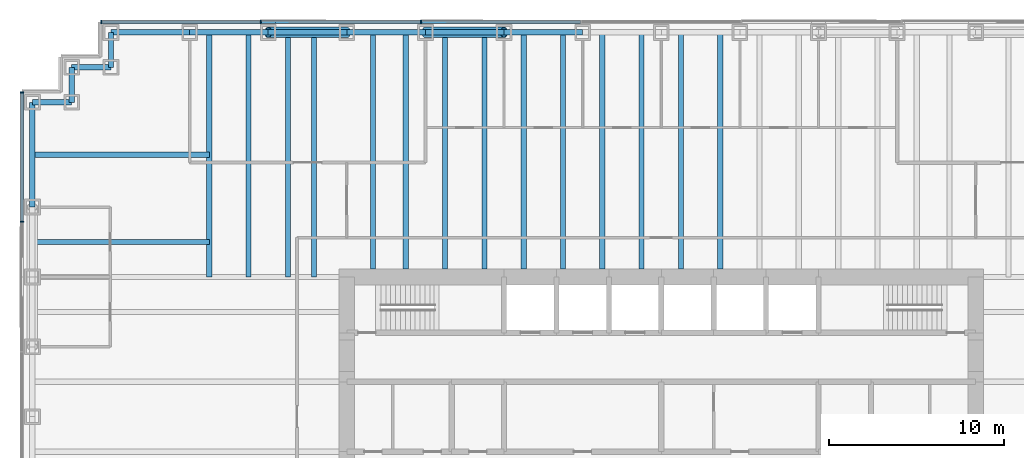
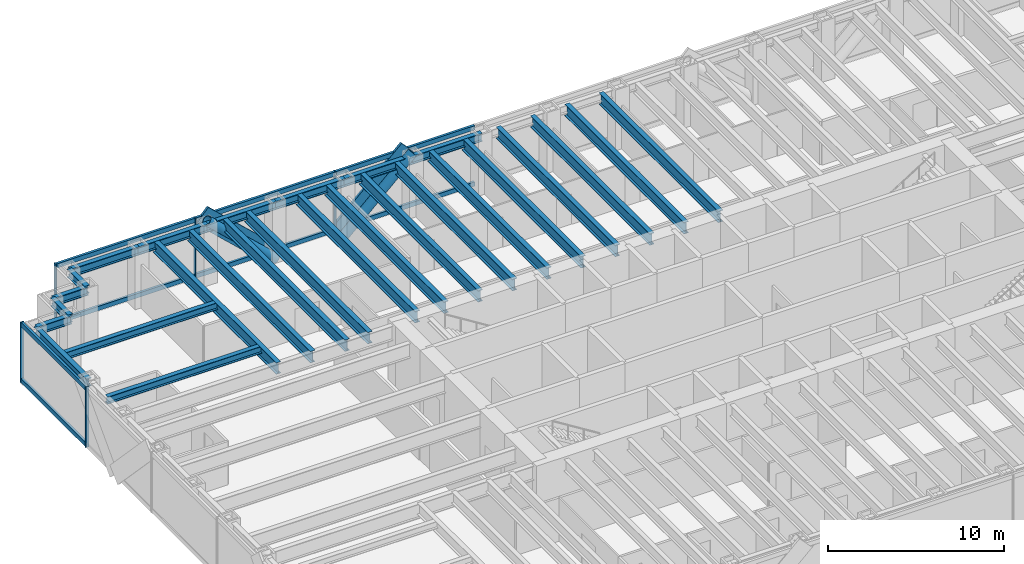
# One storey, part 6 of 15: 27 beams, 17 members, 2 elements without a shape of their own.
"""IFC4 building model written with IfcOpenShell, lengths in metres."""

from ifc_helpers import new_model, si_unit, direction, frame, origin, origin_2d, place, context, subcontext, project, spatial, rectangle, hollow_circle, i_section, extrude, material, material_profile, profile_set, type_object, element, aggregate, save


model = new_model("IFC4")

# Units and contexts
model_context = context("Model", 3, precision=1e-05, world=origin(), true_north=direction((0.0, 1.0)))
body_context = subcontext(model_context, "Body", "Model", "MODEL_VIEW")
ifc_project = project(units=[si_unit("LENGTHUNIT", "METRE"), si_unit("AREAUNIT", "SQUARE_METRE"), si_unit("VOLUMEUNIT", "CUBIC_METRE"), si_unit("PLANEANGLEUNIT", "RADIAN"), si_unit("MASSUNIT", "GRAM", prefix="KILO")], contexts=[model_context])

# Site, building, storey
site_placement = place(None, origin())
site = spatial("IfcSite", under=ifc_project, at=site_placement, CompositionType="ELEMENT")
building_placement = place(site_placement, origin())
building = spatial("IfcBuilding", under=site, at=building_placement, Name="Rheinbord Bourse Tower", CompositionType="ELEMENT")
storey_placement = place(building_placement, frame((0.0, 0.0, 113.10009765625)))
storey = spatial("IfcBuildingStorey", under=building, at=storey_placement, Name="L24", CompositionType="ELEMENT", Elevation=113.10009765625)

# Curtain wall, members
ifc_material_1 = material(Name="Dark glass and black aluminium", Category="aluminium")
curtain_wall_type = type_object("IfcCurtainWallType", Name="CW2 DARK GLASS CURTAIN WALL", PredefinedType="USERDEFINED", material=ifc_material_1)
curtain_wall_1_placement = place(storey_placement, origin())
curtain_wall_1 = element("IfcCurtainWall", 1, at=curtain_wall_1_placement, inside=storey, type_object=curtain_wall_type, Name="Curtain wall CW2 N L24", ObjectType="UNITISED CURTAIN WALL", PredefinedType="USERDEFINED")
ifc_material_2 = material(Name="Black anodised aluminium", Category="aluminium")
ifc_material_profile_1 = material_profile(ifc_material_2, rectangle(XDim=0.159912109375, YDim=1.2099609375, at=origin_2d()), Name="CW2 DIAGONAL MULLION 1210x160")
ifc_profile_set_1 = profile_set([ifc_material_profile_1], Name="Black anodised aluminium")
member_type_1 = type_object("IfcMemberType", Name="CW2 BLACK DIAGONAL MULLION", PredefinedType="USERDEFINED", material=ifc_profile_set_1)
member_1_placement = place(storey_placement, frame((18.0, 46.60009765625, 0.0), z_axis=(-0.73105922506, 0.0, 0.682314010889), x_axis=(0.0, -1.0, 0.0)))
member_1 = element("IfcMember", 2, at=member_1_placement, type_object=member_type_1, Name="CW2 diagonal mullion a", ObjectType="DIAGONAL MULLION", PredefinedType="USERDEFINED", context=body_context, shape_type="SweptSolid", body=[
    extrude(rectangle(XDim=0.159912109375, YDim=1.2099609375, at=origin_2d()), origin(), (0.0, 0.0, 1.0), 6.155517578125),
])
member_2_placement = place(storey_placement, frame((22.5, 46.60009765625, 0.0), z_axis=(0.73105922506, 0.0, 0.682314010889), x_axis=(0.0, 1.0, 0.0)))
member_2 = element("IfcMember", 3, at=member_2_placement, type_object=member_type_1, Name="CW2 diagonal mullion c", ObjectType="DIAGONAL MULLION", PredefinedType="USERDEFINED", context=body_context, shape_type="SweptSolid", body=[
    extrude(rectangle(XDim=0.159912109375, YDim=1.2099609375, at=origin_2d()), origin(), (0.0, 0.0, 1.0), 6.155517578125),
])
ifc_material_3 = material(Name="Black anodised aluminium", Category="aluminium")
ifc_material_profile_2 = material_profile(ifc_material_3, rectangle(XDim=0.219970703125, YDim=0.070068359375, at=origin_2d()), Name="CW2 MULLION 70x220")
ifc_profile_set_2 = profile_set([ifc_material_profile_2], Name="Black anodised aluminium")
member_type_2 = type_object("IfcMemberType", Name="CW2 BLACK MULLION", PredefinedType="MULLION", material=ifc_profile_set_2)
member_3_placement = place(storey_placement, frame((22.242919921875, 46.60009765625, 0.0), z_axis=(0.0, 0.0, 1.0), x_axis=(0.0, -1.0, 0.0)))
member_3 = element("IfcMember", 4, at=member_3_placement, type_object=member_type_2, Name="CW2 mullion 6", PredefinedType="MULLION", context=body_context, shape_type="SweptSolid", body=[
    extrude(rectangle(XDim=0.219970703125, YDim=0.070068359375, at=origin_2d()), origin(), (0.0, 0.0, 1.0), 4.199951171875),
])
member_4_placement = place(storey_placement, frame((13.071533203125, 46.60009765625, 0.0), z_axis=(0.0, 0.0, 1.0), x_axis=(0.0, -1.0, 0.0)))
member_4 = element("IfcMember", 5, at=member_4_placement, type_object=member_type_2, Name="CW2 mullion 7", PredefinedType="MULLION", context=body_context, shape_type="SweptSolid", body=[
    extrude(rectangle(XDim=0.219970703125, YDim=0.070068359375, at=origin_2d()), origin(), (0.0, 0.0, 1.0), 4.199951171875),
])
member_5_placement = place(storey_placement, frame((3.93505859375, 46.60009765625, 0.0), z_axis=(0.0, 0.0, 1.0), x_axis=(0.0, -1.0, 0.0)))
member_5 = element("IfcMember", 6, at=member_5_placement, type_object=member_type_2, Name="CW2 mullion 8", PredefinedType="MULLION", context=body_context, shape_type="SweptSolid", body=[
    extrude(rectangle(XDim=0.219970703125, YDim=0.070068359375, at=origin_2d()), origin(), (0.0, 0.0, 1.0), 4.199951171875),
])

curtain_wall_2_placement = place(storey_placement, origin())
curtain_wall_2 = element("IfcCurtainWall", 7, at=curtain_wall_2_placement, inside=storey, type_object=curtain_wall_type, Name="Curtain wall CW2 W L24", ObjectType="UNITISED CURTAIN WALL", PredefinedType="USERDEFINED")
member_6_placement = place(storey_placement, frame((-0.60009765625, 42.56494140625, 0.0), z_axis=(0.0, 0.0, 1.0), x_axis=(1.0, 0.0, 0.0)))
member_6 = element("IfcMember", 8, at=member_6_placement, type_object=member_type_2, Name="CW2 mullion 1", PredefinedType="MULLION", context=body_context, shape_type="SweptSolid", body=[
    extrude(rectangle(XDim=0.219970703125, YDim=0.070068359375, at=origin_2d()), origin(), (0.0, 0.0, 1.0), 4.199951171875),
])
member_7_placement = place(storey_placement, frame((-0.60009765625, 35.159912109375, 0.0), z_axis=(0.0, 0.0, 1.0), x_axis=(1.0, 0.0, 0.0)))
member_7 = element("IfcMember", 9, at=member_7_placement, type_object=member_type_2, Name="CW2 mullion 2", PredefinedType="MULLION", context=body_context, shape_type="SweptSolid", body=[
    extrude(rectangle(XDim=0.219970703125, YDim=0.070068359375, at=origin_2d()), origin(), (0.0, 0.0, 1.0), 4.199951171875),
])

# Member
ifc_material_4 = material(Name="Black anodised aluminium", Category="aluminium")
ifc_material_profile_3 = material_profile(ifc_material_4, rectangle(XDim=0.159912109375, YDim=0.300048828125, at=origin_2d()), Name="CW2 TRANSOM 300x160")
ifc_profile_set_3 = profile_set([ifc_material_profile_3], Name="Black anodised aluminium")
member_type_3 = type_object("IfcMemberType", Name="CW2 BLACK TRANSOM", PredefinedType="USERDEFINED", material=ifc_profile_set_3)
member_8_placement = place(storey_placement, frame((31.37939453125, 46.60009765625, 0.14990234375), z_axis=(-1.0, 0.0, 0.0), x_axis=(0.0, -1.0, 0.0)))
member_8 = element("IfcMember", 10, at=member_8_placement, type_object=member_type_3, Name="CW2 transom 5.1", ObjectType="TRANSOM", PredefinedType="USERDEFINED", context=body_context, shape_type="SweptSolid", body=[
    extrude(rectangle(XDim=0.159912109375, YDim=0.300048828125, at=origin_2d()), origin(), (0.0, 0.0, 1.0), 9.1015625),
])

member_9_placement = place(storey_placement, frame((31.37939453125, 46.60009765625, 4.0498046875), z_axis=(-1.0, 0.0, 0.0), x_axis=(0.0, -1.0, 0.0)))
member_9 = element("IfcMember", 11, at=member_9_placement, type_object=member_type_3, Name="CW2 transom 5.2", ObjectType="TRANSOM", PredefinedType="USERDEFINED", context=body_context, shape_type="SweptSolid", body=[
    extrude(rectangle(XDim=0.159912109375, YDim=0.300048828125, at=origin_2d()), origin(), (0.0, 0.0, 1.0), 9.1015625),
])

member_10_placement = place(storey_placement, frame((22.207763671875, 46.60009765625, 0.14990234375), z_axis=(-1.0, 0.0, 0.0), x_axis=(0.0, -1.0, 0.0)))
member_10 = element("IfcMember", 12, at=member_10_placement, type_object=member_type_3, Name="CW2 transom 6.1", ObjectType="TRANSOM", PredefinedType="USERDEFINED", context=body_context, shape_type="SweptSolid", body=[
    extrude(rectangle(XDim=0.159912109375, YDim=0.300048828125, at=origin_2d()), origin(), (0.0, 0.0, 1.0), 9.101318359375),
])

member_11_placement = place(storey_placement, frame((22.207763671875, 46.60009765625, 4.0498046875), z_axis=(-1.0, 0.0, 0.0), x_axis=(0.0, -1.0, 0.0)))
member_11 = element("IfcMember", 13, at=member_11_placement, type_object=member_type_3, Name="CW2 transom 6.2", ObjectType="TRANSOM", PredefinedType="USERDEFINED", context=body_context, shape_type="SweptSolid", body=[
    extrude(rectangle(XDim=0.159912109375, YDim=0.300048828125, at=origin_2d()), origin(), (0.0, 0.0, 1.0), 9.101318359375),
])

member_12_placement = place(storey_placement, frame((13.036376953125, 46.60009765625, 0.14990234375), z_axis=(-1.0, 0.0, 0.0), x_axis=(0.0, -1.0, 0.0)))
member_12 = element("IfcMember", 14, at=member_12_placement, type_object=member_type_3, Name="CW2 transom 7.1", ObjectType="TRANSOM", PredefinedType="USERDEFINED", context=body_context, shape_type="SweptSolid", body=[
    extrude(rectangle(XDim=0.159912109375, YDim=0.300048828125, at=origin_2d()), origin(), (0.0, 0.0, 1.0), 9.06640625),
])

member_13_placement = place(storey_placement, frame((13.036376953125, 46.60009765625, 4.0498046875), z_axis=(-1.0, 0.0, 0.0), x_axis=(0.0, -1.0, 0.0)))
member_13 = element("IfcMember", 15, at=member_13_placement, type_object=member_type_3, Name="CW2 transom 7.2", ObjectType="TRANSOM", PredefinedType="USERDEFINED", context=body_context, shape_type="SweptSolid", body=[
    extrude(rectangle(XDim=0.159912109375, YDim=0.300048828125, at=origin_2d()), origin(), (0.0, 0.0, 1.0), 9.06640625),
])

aggregate(curtain_wall_1, [member_3, member_4, member_5, member_8, member_9, member_10, member_11, member_12, member_13, member_1, member_2])

member_14_placement = place(storey_placement, frame((-0.60009765625, 42.530029296875, 0.14990234375), z_axis=(0.0, -1.0, 0.0), x_axis=(1.0, 0.0, 0.0)))
member_14 = element("IfcMember", 16, at=member_14_placement, type_object=member_type_3, Name="CW2 transom 1.1", ObjectType="TRANSOM", PredefinedType="USERDEFINED", context=body_context, shape_type="SweptSolid", body=[
    extrude(rectangle(XDim=0.159912109375, YDim=0.300048828125, at=origin_2d()), origin(), (0.0, 0.0, 1.0), 7.3349609375),
])

member_15_placement = place(storey_placement, frame((-0.60009765625, 42.530029296875, 4.0498046875), z_axis=(0.0, -1.0, 0.0), x_axis=(1.0, 0.0, 0.0)))
member_15 = element("IfcMember", 17, at=member_15_placement, type_object=member_type_3, Name="CW2 transom 1.2", ObjectType="TRANSOM", PredefinedType="USERDEFINED", context=body_context, shape_type="SweptSolid", body=[
    extrude(rectangle(XDim=0.159912109375, YDim=0.300048828125, at=origin_2d()), origin(), (0.0, 0.0, 1.0), 7.3349609375),
])

aggregate(curtain_wall_2, [member_6, member_7, member_14, member_15])

# Beams
ifc_material_5 = material(Name="Steel S460", Category="steel")
ifc_material_profile_4 = material_profile(ifc_material_5, i_section(OverallWidth=0.300048828125, OverallDepth=0.800048828125, WebThickness=0.017578125, FlangeThickness=0.032958984375, at=origin_2d()), Name="HEB 800")
ifc_profile_set_4 = profile_set([ifc_material_profile_4], Name="Steel S460")
beam_type_1 = type_object("IfcBeamType", Name="FLOOR BEAM HEB 800", PredefinedType="BEAM", material=ifc_profile_set_4)
for number, where, z_axis, x_axis, name in (
    (18, (10.125, 46.0, 3.639892578125), (0.0, -1.0, 0.0), (1.0, 0.0, 0.0), "Floor beam N-9a L25"),
    (19, (12.375, 46.0, 3.639892578125), (0.0, -1.0, 0.0), (1.0, 0.0, 0.0), "Floor beam N-9b L25"),
    (20, (14.625, 46.0, 3.639892578125), (0.0, -1.0, 0.0), (1.0, 0.0, 0.0), "Floor beam N-13.5a L25"),
    (21, (16.125, 46.0, 3.639892578125), (0.0, -1.0, 0.0), (1.0, 0.0, 0.0), "Floor beam N-13.5b L25"),
):
    element("IfcBeam", number, at=place(storey_placement, frame(where, z_axis=z_axis, x_axis=x_axis)), inside=storey, type_object=beam_type_1, Name=name, PredefinedType="BEAM", context=body_context, shape_type="SweptSolid", body=[
        extrude(i_section(OverallWidth=0.300048828125, OverallDepth=0.800048828125, WebThickness=0.017578125, FlangeThickness=0.032958984375, at=origin_2d()), origin(), (0.0, 0.0, 1.0), 14.0),
    ])
for number, where, z_axis, x_axis, name in (
    (22, (19.5, 46.0, 3.639892578125), (0.0, -1.0, 0.0), (1.0, 0.0, 0.0), "Floor beam N-18a L25"),
    (23, (21.375, 46.0, 3.639892578125), (0.0, -1.0, 0.0), (1.0, 0.0, 0.0), "Floor beam N-18b L25"),
    (24, (23.625, 46.0, 3.639892578125), (0.0, -1.0, 0.0), (1.0, 0.0, 0.0), "Floor beam N-22.5a L25"),
    (25, (25.875, 46.0, 3.639892578125), (0.0, -1.0, 0.0), (1.0, 0.0, 0.0), "Floor beam N-22.5b L25"),
    (26, (28.125, 46.0, 3.639892578125), (0.0, -1.0, 0.0), (1.0, 0.0, 0.0), "Floor beam N-27a L25"),
    (27, (30.375, 46.0, 3.639892578125), (0.0, -1.0, 0.0), (1.0, 0.0, 0.0), "Floor beam N-27b L25"),
    (28, (32.625, 46.0, 3.639892578125), (0.0, -1.0, 0.0), (1.0, 0.0, 0.0), "Floor beam N-31.5a L25"),
    (29, (34.875, 46.0, 3.639892578125), (0.0, -1.0, 0.0), (1.0, 0.0, 0.0), "Floor beam N-31.5b L25"),
    (30, (37.125, 46.0, 3.639892578125), (0.0, -1.0, 0.0), (1.0, 0.0, 0.0), "Floor beam N-36a L25"),
    (31, (39.375, 46.0, 3.639892578125), (0.0, -1.0, 0.0), (1.0, 0.0, 0.0), "Floor beam N-36b L25"),
):
    element("IfcBeam", number, at=place(storey_placement, frame(where, z_axis=z_axis, x_axis=x_axis)), inside=storey, type_object=beam_type_1, Name=name, PredefinedType="BEAM", context=body_context, shape_type="SweptSolid", body=[
        extrude(i_section(OverallWidth=0.300048828125, OverallDepth=0.800048828125, WebThickness=0.017578125, FlangeThickness=0.032958984375, at=origin_2d()), origin(), (0.0, 0.0, 1.0), 13.550048828125),
    ])

# Members
ifc_material_6 = material(Name="Steel S460", Category="steel")
ifc_material_profile_5 = material_profile(ifc_material_6, hollow_circle(Radius=0.304931640625, WallThickness=0.0400390625, at=origin_2d()), Name="CHS 610x40")
ifc_profile_set_5 = profile_set([ifc_material_profile_5], Name="Steel S460")
member_type_4 = type_object("IfcMemberType", Name="MEGABRACE CHS 610x40", PredefinedType="BRACE", material=ifc_profile_set_5)
for number, where, z_axis, x_axis, name in (
    (32, (18.0, 46.0, 0.0), (-0.73105922506, 0.0, 0.682314010889), (0.0, -1.0, 0.0), "Megabrace N face line a L24"),
    (33, (22.5, 46.0, 0.0), (0.73105922506, 0.0, 0.682314010889), (0.0, 1.0, 0.0), "Megabrace N face line c L24"),
):
    element("IfcMember", number, at=place(storey_placement, frame(where, z_axis=z_axis, x_axis=x_axis)), inside=storey, type_object=member_type_4, Name=name, PredefinedType="BRACE", context=body_context, shape_type="SweptSolid", body=[
        extrude(hollow_circle(Radius=0.304931640625, WallThickness=0.0400390625, at=origin_2d()), origin(), (0.0, 0.0, 1.0), 6.155517578125),
    ])

# Beams
ifc_material_7 = material(Name="Steel S460", Category="steel")
ifc_material_profile_6 = material_profile(ifc_material_7, i_section(OverallWidth=0.305908203125, OverallDepth=0.572021484375, WebThickness=0.02099609375, FlangeThickness=0.0400390625, at=origin_2d()), Name="HEM 550")
ifc_profile_set_6 = profile_set([ifc_material_profile_6], Name="Steel S460")
beam_type_2 = type_object("IfcBeamType", Name="SPANDREL HEM 550", PredefinedType="SPANDREL", material=ifc_profile_set_6)
for number, where, z_axis, x_axis, name in (
    (34, (31.5, 46.0, 3.75390625), (-1.0, 0.0, 0.0), (0.0, -1.0, 0.0), "Spandrel N-31.5-N-27 under L25"),
    (35, (27.0, 46.0, 3.75390625), (-1.0, 0.0, 0.0), (0.0, -1.0, 0.0), "Spandrel N-27-N-22.5 under L25"),
    (36, (22.5, 46.0, 3.75390625), (-1.0, 0.0, 0.0), (0.0, -1.0, 0.0), "Spandrel N-22.5-N-18 under L25"),
    (37, (18.0, 46.0, 3.75390625), (-1.0, 0.0, 0.0), (0.0, -1.0, 0.0), "Spandrel N-18-N-13.5 under L25"),
    (38, (13.5, 46.0, 3.75390625), (-1.0, 0.0, 0.0), (0.0, -1.0, 0.0), "Spandrel N-13.5-N-9 under L25"),
    (39, (9.0, 46.0, 3.75390625), (-1.0, 0.0, 0.0), (0.0, -1.0, 0.0), "Spandrel N-9-NW-E under L25"),
):
    element("IfcBeam", number, at=place(storey_placement, frame(where, z_axis=z_axis, x_axis=x_axis)), inside=storey, type_object=beam_type_2, Name=name, PredefinedType="SPANDREL", context=body_context, shape_type="SweptSolid", body=[
        extrude(i_section(OverallWidth=0.305908203125, OverallDepth=0.572021484375, WebThickness=0.02099609375, FlangeThickness=0.0400390625, at=origin_2d()), origin(), (0.0, 0.0, 1.0), 4.5),
    ])
beam_1_placement = place(storey_placement, frame((4.5, 46.0, 3.75390625), z_axis=(0.0, -1.0, 0.0), x_axis=(1.0, 0.0, 0.0)))
element("IfcBeam", 40, at=beam_1_placement, inside=storey, type_object=beam_type_2, Name="Spandrel NW-E-NW-D under L25", PredefinedType="SPANDREL", context=body_context, shape_type="SweptSolid", body=[
    extrude(i_section(OverallWidth=0.305908203125, OverallDepth=0.572021484375, WebThickness=0.02099609375, FlangeThickness=0.0400390625, at=origin_2d()), origin(), (0.0, 0.0, 1.0), 2.0),
])
beam_2_placement = place(storey_placement, frame((4.5, 44.0, 3.75390625), z_axis=(-1.0, 0.0, 0.0), x_axis=(0.0, -1.0, 0.0)))
element("IfcBeam", 41, at=beam_2_placement, inside=storey, type_object=beam_type_2, Name="Spandrel NW-D-NW-C under L25", PredefinedType="SPANDREL", context=body_context, shape_type="SweptSolid", body=[
    extrude(i_section(OverallWidth=0.305908203125, OverallDepth=0.572021484375, WebThickness=0.02099609375, FlangeThickness=0.0400390625, at=origin_2d()), origin(), (0.0, 0.0, 1.0), 2.25),
])
beam_3_placement = place(storey_placement, frame((2.25, 44.0, 3.75390625), z_axis=(0.0, -1.0, 0.0), x_axis=(1.0, 0.0, 0.0)))
element("IfcBeam", 42, at=beam_3_placement, inside=storey, type_object=beam_type_2, Name="Spandrel NW-C-NW-B under L25", PredefinedType="SPANDREL", context=body_context, shape_type="SweptSolid", body=[
    extrude(i_section(OverallWidth=0.305908203125, OverallDepth=0.572021484375, WebThickness=0.02099609375, FlangeThickness=0.0400390625, at=origin_2d()), origin(), (0.0, 0.0, 1.0), 2.0),
])
beam_4_placement = place(storey_placement, frame((2.25, 42.0, 3.75390625), z_axis=(-1.0, 0.0, 0.0), x_axis=(0.0, -1.0, 0.0)))
element("IfcBeam", 43, at=beam_4_placement, inside=storey, type_object=beam_type_2, Name="Spandrel NW-B-NW-A under L25", PredefinedType="SPANDREL", context=body_context, shape_type="SweptSolid", body=[
    extrude(i_section(OverallWidth=0.305908203125, OverallDepth=0.572021484375, WebThickness=0.02099609375, FlangeThickness=0.0400390625, at=origin_2d()), origin(), (0.0, 0.0, 1.0), 2.25),
])
beam_5_placement = place(storey_placement, frame((0.0, 42.0, 3.75390625), z_axis=(0.0, -1.0, 0.0), x_axis=(1.0, 0.0, 0.0)))
element("IfcBeam", 44, at=beam_5_placement, inside=storey, type_object=beam_type_2, Name="Spandrel NW-A-W-36 under L25", PredefinedType="SPANDREL", context=body_context, shape_type="SweptSolid", body=[
    extrude(i_section(OverallWidth=0.305908203125, OverallDepth=0.572021484375, WebThickness=0.02099609375, FlangeThickness=0.0400390625, at=origin_2d()), origin(), (0.0, 0.0, 1.0), 6.0),
])
ifc_material_8 = material(Name="Steel S460", Category="steel")
ifc_material_profile_7 = material_profile(ifc_material_8, i_section(OverallWidth=0.300048828125, OverallDepth=0.5, WebThickness=0.014404296875, FlangeThickness=0.028076171875, at=origin_2d()), Name="HEB 500")
ifc_profile_set_7 = profile_set([ifc_material_profile_7], Name="Steel S460")
beam_type_3 = type_object("IfcBeamType", Name="TIE BEAM HEB 500", PredefinedType="JOIST", material=ifc_profile_set_7)
for number, where, z_axis, x_axis, name in (
    (45, (0.0, 34.0, 3.789794921875), (1.0, 0.0, 0.0), (0.0, 1.0, 0.0), "Tie west 34 L25"),
    (46, (0.0, 39.0, 3.789794921875), (1.0, 0.0, 0.0), (0.0, 1.0, 0.0), "Tie west 39 L25"),
):
    element("IfcBeam", number, at=place(storey_placement, frame(where, z_axis=z_axis, x_axis=x_axis)), inside=storey, type_object=beam_type_3, Name=name, PredefinedType="JOIST", context=body_context, shape_type="SweptSolid", body=[
        extrude(i_section(OverallWidth=0.300048828125, OverallDepth=0.5, WebThickness=0.014404296875, FlangeThickness=0.028076171875, at=origin_2d()), origin(), (0.0, 0.0, 1.0), 10.125),
    ])

save(model, "model.ifc")
